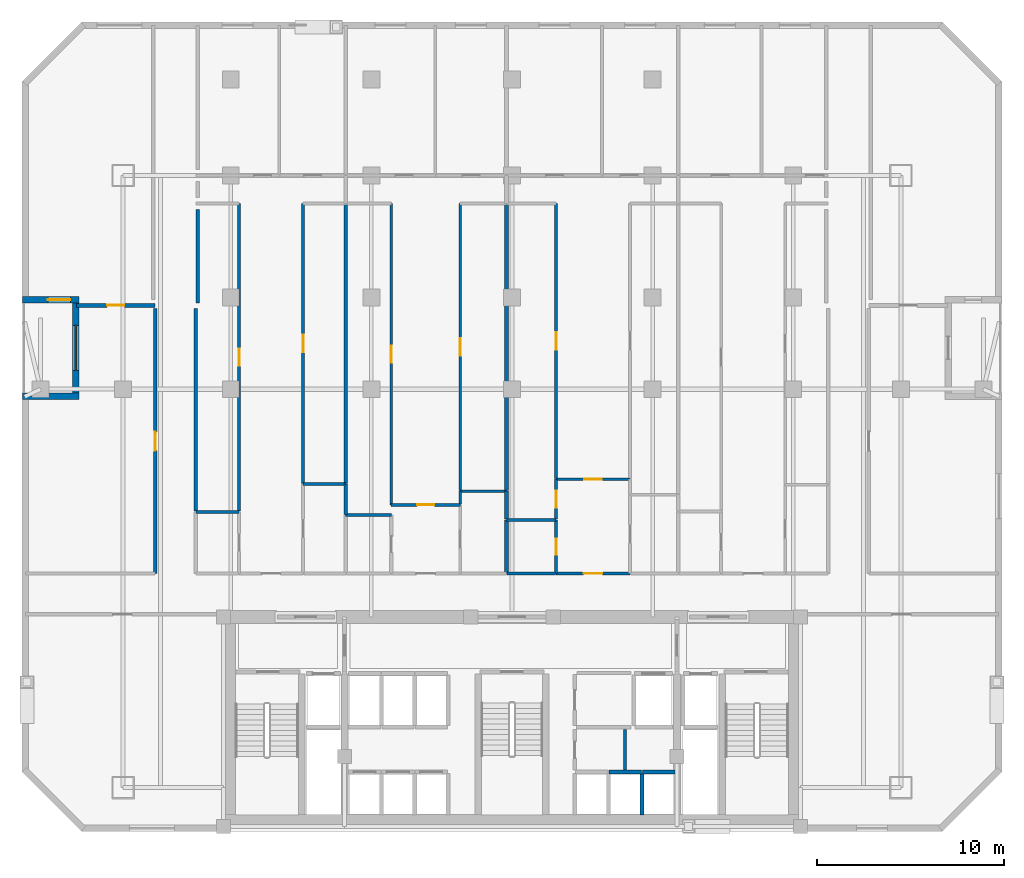
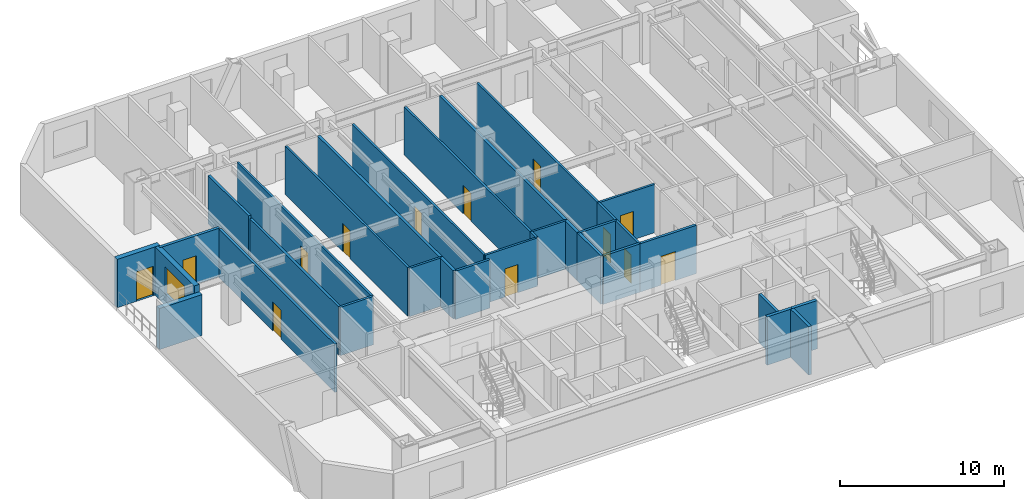
# One storey, part 4 of 9: 33 walls, 13 doors, 1 window, 14 openings.
"""IFC4 building model written with IfcOpenShell, lengths in metres."""

from ifc_helpers import new_model, si_unit, direction, frame, frame_2d, origin, place, context, subcontext, project, spatial, rectangle, extrude, material, layer, layer_set, type_object, element, fill, save


model = new_model("IFC4")

# Units and contexts
model_context = context("Model", 3, precision=1e-05, world=origin(), true_north=direction((0.0, 1.0)))
body_context = subcontext(model_context, "Body", "Model", "MODEL_VIEW")
ifc_project = project(units=[si_unit("LENGTHUNIT", "METRE"), si_unit("AREAUNIT", "SQUARE_METRE"), si_unit("VOLUMEUNIT", "CUBIC_METRE"), si_unit("PLANEANGLEUNIT", "RADIAN"), si_unit("MASSUNIT", "GRAM", prefix="KILO")], contexts=[model_context])

# Site, building, storey
site_placement = place(None, origin())
site = spatial("IfcSite", under=ifc_project, at=site_placement, CompositionType="ELEMENT")
building_placement = place(site_placement, origin())
building = spatial("IfcBuilding", under=site, at=building_placement, Name="Ventersveld Concourse Tower", CompositionType="ELEMENT")
storey_placement = place(building_placement, frame((0.0, 0.0, 100.300048828125)))
storey = spatial("IfcBuildingStorey", under=building, at=storey_placement, Name="L24", CompositionType="ELEMENT", Elevation=100.300048828125)

# Wall
ifc_material_1 = material(Name="Fire-rated autoclaved aerated masonry blockwork", Category="masonry")
ifc_layer_1 = layer(ifc_material_1, 0.179931640625)
ifc_layer_set_1 = layer_set([ifc_layer_1], Name="Fire-rated autoclaved aerated masonry blockwork")
wall_type_1 = type_object("IfcWallType", Name="WL-CORR-180", PredefinedType="PARTITIONING", material=ifc_layer_set_1)
wall_1_placement = place(storey_placement, frame((34.780029296875, 3.280029296875, 0.0), z_axis=(0.0, 0.0, 1.0), x_axis=(0.0, 1.0, 0.0)))
element("IfcWall", 1, at=wall_1_placement, inside=storey, type_object=wall_type_1, Name="L24 Core East Wall SP-L24-CBAY2", PredefinedType="PARTITIONING", context=body_context, shape_type="SweptSolid", body=[
    extrude(rectangle(XDim=2.169921875, YDim=0.179931640625, at=frame_2d((1.0849609375, 0.0))), origin(), (0.0, 0.0, 1.0), 3.599853515625),
])

# Wall, opening, door
wall_2_placement = place(storey_placement, frame((9.7099609375, 13.764892578125, 0.0), z_axis=(0.0, 0.0, 1.0), x_axis=(0.0, 1.0, 0.0)))
wall_2 = element("IfcWall", 2, at=wall_2_placement, inside=storey, type_object=wall_type_1, Name="L24 Interior Partition SP-L24-COR-SP-L24-NWLNG1", PredefinedType="PARTITIONING", context=body_context, shape_type="SweptSolid", body=[
    extrude(rectangle(XDim=14.130126953125, YDim=0.179931640625, at=frame_2d((7.06494140625, 0.0))), origin(), (0.0, 0.0, 1.0), 3.599853515625),
])
opening_1_placement = place(wall_2_placement, frame((6.56494140625, 0.0, 0.0)))
opening_1 = element("IfcOpeningElement", 3, at=opening_1_placement, cuts=wall_2, Name="Opening FD3", PredefinedType="OPENING", context=body_context, shape_type="SweptSolid", body=[
    extrude(rectangle(XDim=1.0, YDim=2.14990234375, at=frame_2d((0.5, 1.074951171875))), frame((0.0, 0.10009765625, 0.0), z_axis=(0.0, -1.0, 0.0), x_axis=(1.0, 0.0, 0.0)), (0.0, 0.0, 1.0), 0.199951171875),
])
ifc_material_2 = material(Name="Solid-core hardwood veneer timber", Category="wood")
door_type_1 = type_object("IfcDoorType", Name="DR-FLAT-100", OperationType="NOTDEFINED", PredefinedType="DOOR", material=ifc_material_2)
door_1_placement = place(opening_1_placement, origin())
door_1 = element("IfcDoor", 4, at=door_1_placement, inside=storey, type_object=door_type_1, Name="L24 Interior Door SP-L24-COR to SP-L24-NWLNG1 (D-L24-1174)", OperationType="SINGLE_SWING_RIGHT", OverallHeight=2.14990234375, OverallWidth=1.0, PredefinedType="DOOR", context=body_context, shape_type="SweptSolid", body=[
    extrude(rectangle(XDim=1.0, YDim=2.14990234375, at=frame_2d((0.5, 1.074951171875))), frame((0.0, 0.02490234375, 0.0), z_axis=(0.0, -1.0, 0.0), x_axis=(1.0, 0.0, 0.0)), (0.0, 0.0, 1.0), 0.050048828125),
])
fill(opening_1, door_1)

# Wall
wall_3_placement = place(storey_placement, frame((11.889892578125, 17.09130859375, 0.0), z_axis=(0.0, 0.0, 1.0), x_axis=(0.0, 1.0, 0.0)))
element("IfcWall", 5, at=wall_3_placement, inside=storey, type_object=wall_type_1, Name="L24 Interior Partition SP-L24-COR-SP-L24-24N1-OFFL0", PredefinedType="PARTITIONING", context=body_context, shape_type="SweptSolid", body=[
    extrude(rectangle(XDim=10.8037109375, YDim=0.179931640625, at=frame_2d((5.40185546875, 0.0))), origin(), (0.0, 0.0, 1.0), 3.599853515625),
])

# Wall, opening, door
wall_4_placement = place(storey_placement, frame((31.09423828125, 13.77001953125, 0.0), z_axis=(0.0, 0.0, 1.0), x_axis=(1.0, 0.0, 0.0)))
wall_4 = element("IfcWall", 6, at=wall_4_placement, inside=storey, type_object=wall_type_1, Name="L24 Interior Partition SP-L24-COR-SP-L24-24N3-FOY", PredefinedType="PARTITIONING", context=body_context, shape_type="SweptSolid", body=[
    extrude(rectangle(XDim=3.963134765625, YDim=0.179931640625, at=frame_2d((1.9814453125, 0.0))), origin(), (0.0, 0.0, 1.0), 3.599853515625),
])
opening_2_placement = place(wall_4_placement, frame((1.4814453125, 0.0, 0.0)))
opening_2 = element("IfcOpeningElement", 7, at=opening_2_placement, cuts=wall_4, Name="Opening FD3", PredefinedType="OPENING", context=body_context, shape_type="SweptSolid", body=[
    extrude(rectangle(XDim=1.0, YDim=2.14990234375, at=frame_2d((0.5, 1.074951171875))), frame((0.0, 0.10009765625, 0.0), z_axis=(0.0, -1.0, 0.0), x_axis=(1.0, 0.0, 0.0)), (0.0, 0.0, 1.0), 0.199951171875),
])
door_2_placement = place(opening_2_placement, origin())
door_2 = element("IfcDoor", 8, at=door_2_placement, inside=storey, type_object=door_type_1, Name="L24 Interior Door SP-L24-COR to SP-L24-24N3-FOY (FD-L24-1178)", OperationType="SINGLE_SWING_RIGHT", OverallHeight=2.14990234375, OverallWidth=1.0, PredefinedType="DOOR", context=body_context, shape_type="SweptSolid", body=[
    extrude(rectangle(XDim=1.0, YDim=2.14990234375, at=frame_2d((0.5, 1.074951171875))), frame((0.0, 0.02490234375, 0.0), z_axis=(0.0, -1.0, 0.0), x_axis=(1.0, 0.0, 0.0)), (0.0, 0.0, 1.0), 0.050048828125),
])
fill(opening_2, door_2)

# Walls
wall_5_placement = place(storey_placement, frame((28.4912109375, 13.77001953125, 0.0), z_axis=(0.0, 0.0, 1.0), x_axis=(1.0, 0.0, 0.0)))
element("IfcWall", 9, at=wall_5_placement, inside=storey, type_object=wall_type_1, Name="L24 Interior Partition SP-L24-COR-SP-L24-24N3-BATH", PredefinedType="PARTITIONING", context=body_context, shape_type="SweptSolid", body=[
    extrude(rectangle(XDim=2.572998046875, YDim=0.179931640625, at=frame_2d((1.28662109375, 0.0))), origin(), (0.0, 0.0, 1.0), 3.599853515625),
])
wall_6_placement = place(storey_placement, frame((11.97998046875, 28.2099609375, 0.0), z_axis=(0.0, 0.0, 1.0), x_axis=(0.0, 1.0, 0.0)))
element("IfcWall", 10, at=wall_6_placement, inside=storey, type_object=wall_type_1, Name="L24 Room Enclosure Wall SP-L24-24N1-OFFL0", PredefinedType="PARTITIONING", context=body_context, shape_type="SweptSolid", body=[
    extrude(rectangle(XDim=4.965087890625, YDim=0.179931640625, at=frame_2d((2.482421875, 0.0))), origin(), (0.0, 0.0, 1.0), 3.599853515625),
])

# Wall, opening, door
ifc_layer_2 = layer(ifc_material_1, 0.199951171875)
ifc_layer_set_2 = layer_set([ifc_layer_2], Name="Fire-rated autoclaved aerated masonry blockwork")
wall_type_2 = type_object("IfcWallType", Name="WL-DEMISE-200", PredefinedType="PARTITIONING", material=ifc_layer_set_2)
wall_7_placement = place(storey_placement, frame((5.510009765625, 28.070068359375, 0.0), z_axis=(0.0, 0.0, 1.0), x_axis=(1.0, 0.0, 0.0)))
wall_7 = element("IfcWall", 11, at=wall_7_placement, inside=storey, type_object=wall_type_2, Name="L24 Interior Partition SP-L24-NWLNG1-SP-L24-NWLNG2", PredefinedType="PARTITIONING", context=body_context, shape_type="SweptSolid", body=[
    extrude(rectangle(XDim=4.205078125, YDim=0.199951171875, at=frame_2d((2.1025390625, 0.0))), origin(), (0.0, 0.0, 1.0), 3.599853515625),
])
opening_3_placement = place(wall_7_placement, frame((1.642578125, 0.0, 0.0)))
opening_3 = element("IfcOpeningElement", 12, at=opening_3_placement, cuts=wall_7, Name="Opening ID1", PredefinedType="OPENING", context=body_context, shape_type="SweptSolid", body=[
    extrude(rectangle(XDim=0.919921875, YDim=2.10009765625, at=frame_2d((0.4599609375, 1.050048828125))), frame((0.0, 0.10986328125, 0.0), z_axis=(0.0, -1.0, 0.0), x_axis=(1.0, 0.0, 0.0)), (0.0, 0.0, 1.0), 0.219970703125),
])
door_type_2 = type_object("IfcDoorType", Name="DR-ROOM-092", OperationType="NOTDEFINED", PredefinedType="DOOR", material=ifc_material_2)
door_3_placement = place(opening_3_placement, origin())
door_3 = element("IfcDoor", 13, at=door_3_placement, inside=storey, type_object=door_type_2, Name="L24 Interior Door SP-L24-NWLNG1 to SP-L24-NWLNG2 (D-L24-1180)", OperationType="SINGLE_SWING_RIGHT", OverallHeight=2.10009765625, OverallWidth=0.919921875, PredefinedType="DOOR", context=body_context, shape_type="SweptSolid", body=[
    extrude(rectangle(XDim=0.919921875, YDim=2.10009765625, at=frame_2d((0.4599609375, 1.050048828125))), frame((0.0, 0.02490234375, 0.0), z_axis=(0.0, -1.0, 0.0), x_axis=(1.0, 0.0, 0.0)), (0.0, 0.0, 1.0), 0.050048828125),
])
fill(opening_3, door_3)

# Walls
wall_8_placement = place(storey_placement, frame((19.879150390625, 16.918701171875, 0.0), z_axis=(0.0, 0.0, 1.0), x_axis=(0.0, 1.0, 0.0)))
element("IfcWall", 14, at=wall_8_placement, inside=storey, type_object=wall_type_2, Name="L24 Interior Partition SP-L24-24N1-KIT-SP-L24-24N2-MEDL0", PredefinedType="PARTITIONING", context=body_context, shape_type="SweptSolid", body=[
    extrude(rectangle(XDim=1.62451171875, YDim=0.199951171875, at=frame_2d((0.812255859375, 0.0))), origin(), (0.0, 0.0, 1.0), 3.599853515625),
])
wall_9_placement = place(storey_placement, frame((19.879150390625, 18.5732421875, 0.0), z_axis=(0.0, 0.0, 1.0), x_axis=(0.0, 1.0, 0.0)))
element("IfcWall", 15, at=wall_9_placement, inside=storey, type_object=wall_type_2, Name="L24 Interior Partition SP-L24-24N1-DENR-SP-L24-24N2-MEDL0", PredefinedType="PARTITIONING", context=body_context, shape_type="SweptSolid", body=[
    extrude(rectangle(XDim=14.891845703125, YDim=0.199951171875, at=frame_2d((7.44580078125, 0.0))), origin(), (0.0, 0.0, 1.0), 3.599853515625),
])
wall_10_placement = place(storey_placement, frame((28.4560546875, 13.764892578125, 0.0), z_axis=(0.0, 0.0, 1.0), x_axis=(0.0, 1.0, 0.0)))
element("IfcWall", 16, at=wall_10_placement, inside=storey, type_object=wall_type_2, Name="L24 Interior Partition SP-L24-24N2-KIT-SP-L24-24N3-BATH", PredefinedType="PARTITIONING", context=body_context, shape_type="SweptSolid", body=[
    extrude(rectangle(XDim=2.86962890625, YDim=0.199951171875, at=frame_2d((1.434814453125, 0.0))), origin(), (0.0, 0.0, 1.0), 3.599853515625),
])
wall_11_placement = place(storey_placement, frame((28.4560546875, 16.664306640625, 0.0), z_axis=(0.0, 0.0, 1.0), x_axis=(0.0, 1.0, 0.0)))
element("IfcWall", 17, at=wall_11_placement, inside=storey, type_object=wall_type_2, Name="L24 Interior Partition SP-L24-24N2-KIT-SP-L24-24N3-DENL", PredefinedType="PARTITIONING", context=body_context, shape_type="SweptSolid", body=[
    extrude(rectangle(XDim=1.49267578125, YDim=0.199951171875, at=frame_2d((0.746337890625, 0.0))), origin(), (0.0, 0.0, 1.0), 3.599853515625),
])
wall_12_placement = place(storey_placement, frame((28.4560546875, 18.18701171875, 0.0), z_axis=(0.0, 0.0, 1.0), x_axis=(0.0, 1.0, 0.0)))
element("IfcWall", 18, at=wall_12_placement, inside=storey, type_object=wall_type_2, Name="L24 Interior Partition SP-L24-24N2-DENR-SP-L24-24N3-DENL", PredefinedType="PARTITIONING", context=body_context, shape_type="SweptSolid", body=[
    extrude(rectangle(XDim=15.278076171875, YDim=0.199951171875, at=frame_2d((7.63916015625, 0.0))), origin(), (0.0, 0.0, 1.0), 3.599853515625),
])
ifc_layer_3 = layer(ifc_material_1, 0.219970703125)
ifc_layer_set_3 = layer_set([ifc_layer_3], Name="Fire-rated autoclaved aerated masonry blockwork")
wall_type_3 = type_object("IfcWallType", Name="WL-HOIST-220", PredefinedType="SOLIDWALL", material=ifc_layer_set_3)
wall_13_placement = place(storey_placement, frame((35.679931640625, 0.89990234375, 0.0), z_axis=(0.0, 0.0, 1.0), x_axis=(0.0, 1.0, 0.0)))
element("IfcWall", 19, at=wall_13_placement, inside=storey, type_object=wall_type_3, Name="L24 Lift Hoistway Side Wall PM-02E", PredefinedType="SOLIDWALL", context=body_context, shape_type="SweptSolid", body=[
    extrude(rectangle(XDim=2.2001953125, YDim=0.219970703125, at=frame_2d((1.10009765625, 0.0))), origin(), (0.0, 0.0, 1.0), 3.599853515625),
])
for number, where, z_axis, x_axis, name in (
    (20, (33.919921875, 3.179931640625, 0.0), (0.0, 0.0, 1.0), (1.0, 0.0, 0.0), "L24 Lift Hoistway Front Wall PM-02"),
    (21, (35.699951171875, 3.179931640625, 0.0), (0.0, 0.0, 1.0), (1.0, 0.0, 0.0), "L24 Lift Hoistway Front Wall PM-03"),
):
    element("IfcWall", number, at=place(storey_placement, frame(where, z_axis=z_axis, x_axis=x_axis)), inside=storey, type_object=wall_type_3, Name=name, PredefinedType="SOLIDWALL", context=body_context, shape_type="SweptSolid", body=[
        extrude(rectangle(XDim=1.739990234375, YDim=0.219970703125, at=frame_2d((0.8701171875, 0.0))), origin(), (0.0, 0.0, 1.0), 3.599853515625),
    ])

# Wall, opening, door
ifc_material_3 = material(Name="Autoclaved aerated masonry blockwork", Category="masonry")
ifc_layer_4 = layer(ifc_material_3, 0.14990234375)
ifc_layer_set_4 = layer_set([ifc_layer_4], Name="Autoclaved aerated masonry blockwork")
wall_type_4 = type_object("IfcWallType", Name="WL-INT-150", PredefinedType="PARTITIONING", material=ifc_layer_set_4)
wall_14_placement = place(storey_placement, frame((14.194580078125, 17.09130859375, 0.0), z_axis=(0.0, 0.0, 1.0), x_axis=(0.0, 1.0, 0.0)))
wall_14 = element("IfcWall", 22, at=wall_14_placement, inside=storey, type_object=wall_type_4, Name="L24 Interior Partition SP-L24-24N1-LIV-SP-L24-24N1-OFFL0", PredefinedType="PARTITIONING", context=body_context, shape_type="SweptSolid", body=[
    extrude(rectangle(XDim=16.41357421875, YDim=0.14990234375, at=frame_2d((8.206787109375, 0.0))), origin(), (0.0, 0.0, 1.0), 3.599853515625),
])
opening_4_placement = place(wall_14_placement, frame((7.746826171875, 0.0, 0.0)))
opening_4 = element("IfcOpeningElement", 23, at=opening_4_placement, cuts=wall_14, Name="Opening ID1", PredefinedType="OPENING", context=body_context, shape_type="SweptSolid", body=[
    extrude(rectangle(XDim=0.919921875, YDim=2.10009765625, at=frame_2d((0.4599609375, 1.050048828125))), frame((0.0, 0.0849609375, 0.0), z_axis=(0.0, -1.0, 0.0), x_axis=(1.0, 0.0, 0.0)), (0.0, 0.0, 1.0), 0.169921875),
])
door_4_placement = place(opening_4_placement, origin())
door_4 = element("IfcDoor", 24, at=door_4_placement, inside=storey, type_object=door_type_2, Name="L24 Interior Door SP-L24-24N1-LIV to SP-L24-24N1-OFFL0 (D-L24-1183)", OperationType="SINGLE_SWING_LEFT", OverallHeight=2.10009765625, OverallWidth=0.919921875, PredefinedType="DOOR", context=body_context, shape_type="SweptSolid", body=[
    extrude(rectangle(XDim=0.919921875, YDim=2.10009765625, at=frame_2d((0.4599609375, 1.050048828125))), frame((0.0, 0.02490234375, 0.0), z_axis=(0.0, -1.0, 0.0), x_axis=(1.0, 0.0, 0.0)), (0.0, 0.0, 1.0), 0.050048828125),
])
fill(opening_4, door_4)

wall_15_placement = place(storey_placement, frame((17.60693359375, 18.5732421875, 0.0), z_axis=(0.0, 0.0, 1.0), x_axis=(0.0, 1.0, 0.0)))
wall_15 = element("IfcWall", 25, at=wall_15_placement, inside=storey, type_object=wall_type_4, Name="L24 Interior Partition SP-L24-24N1-LIV-SP-L24-24N1-DENR", PredefinedType="PARTITIONING", context=body_context, shape_type="SweptSolid", body=[
    extrude(rectangle(XDim=14.931640625, YDim=0.14990234375, at=frame_2d((7.4658203125, 0.0))), origin(), (0.0, 0.0, 1.0), 3.599853515625),
])
opening_5_placement = place(wall_15_placement, frame((7.005859375, 0.0, 0.0)))
opening_5 = element("IfcOpeningElement", 26, at=opening_5_placement, cuts=wall_15, Name="Opening ID1", PredefinedType="OPENING", context=body_context, shape_type="SweptSolid", body=[
    extrude(rectangle(XDim=0.919921875, YDim=2.10009765625, at=frame_2d((0.4599609375, 1.050048828125))), frame((0.0, 0.0849609375, 0.0), z_axis=(0.0, -1.0, 0.0), x_axis=(1.0, 0.0, 0.0)), (0.0, 0.0, 1.0), 0.169921875),
])
door_5_placement = place(opening_5_placement, origin())
door_5 = element("IfcDoor", 27, at=door_5_placement, inside=storey, type_object=door_type_2, Name="L24 Interior Door SP-L24-24N1-LIV to SP-L24-24N1-DENR (D-L24-1185)", OperationType="SINGLE_SWING_LEFT", OverallHeight=2.10009765625, OverallWidth=0.919921875, PredefinedType="DOOR", context=body_context, shape_type="SweptSolid", body=[
    extrude(rectangle(XDim=0.919921875, YDim=2.10009765625, at=frame_2d((0.4599609375, 1.050048828125))), frame((0.0, 0.02490234375, 0.0), z_axis=(0.0, -1.0, 0.0), x_axis=(1.0, 0.0, 0.0)), (0.0, 0.0, 1.0), 0.050048828125),
])
fill(opening_5, door_5)

# Wall
wall_16_placement = place(storey_placement, frame((17.601806640625, 18.538330078125, 0.0), z_axis=(0.0, 0.0, 1.0), x_axis=(1.0, 0.0, 0.0)))
element("IfcWall", 28, at=wall_16_placement, inside=storey, type_object=wall_type_4, Name="L24 Interior Partition SP-L24-24N1-KIT-SP-L24-24N1-DENR", PredefinedType="PARTITIONING", context=body_context, shape_type="SweptSolid", body=[
    extrude(rectangle(XDim=2.282470703125, YDim=0.14990234375, at=frame_2d((1.14111328125, 0.0))), origin(), (0.0, 0.0, 1.0), 3.599853515625),
])

# Wall, opening, door
wall_17_placement = place(storey_placement, frame((22.303955078125, 17.430419921875, 0.0), z_axis=(0.0, 0.0, 1.0), x_axis=(1.0, 0.0, 0.0)))
wall_17 = element("IfcWall", 29, at=wall_17_placement, inside=storey, type_object=wall_type_4, Name="L24 Interior Partition SP-L24-24N2-FOY-SP-L24-24N2-LIV", PredefinedType="PARTITIONING", context=body_context, shape_type="SweptSolid", body=[
    extrude(rectangle(XDim=3.692626953125, YDim=0.14990234375, at=frame_2d((1.84619140625, 0.0))), origin(), (0.0, 0.0, 1.0), 3.599853515625),
])
opening_6_placement = place(wall_17_placement, frame((1.38623046875, 0.0, 0.0)))
opening_6 = element("IfcOpeningElement", 30, at=opening_6_placement, cuts=wall_17, Name="Opening ID1", PredefinedType="OPENING", context=body_context, shape_type="SweptSolid", body=[
    extrude(rectangle(XDim=0.919921875, YDim=2.10009765625, at=frame_2d((0.4599609375, 1.050048828125))), frame((0.0, 0.0849609375, 0.0), z_axis=(0.0, -1.0, 0.0), x_axis=(1.0, 0.0, 0.0)), (0.0, 0.0, 1.0), 0.169921875),
])
door_6_placement = place(opening_6_placement, origin())
door_6 = element("IfcDoor", 31, at=door_6_placement, inside=storey, type_object=door_type_2, Name="L24 Interior Door SP-L24-24N2-FOY to SP-L24-24N2-LIV (D-L24-1188)", OperationType="SINGLE_SWING_RIGHT", OverallHeight=2.10009765625, OverallWidth=0.919921875, PredefinedType="DOOR", context=body_context, shape_type="SweptSolid", body=[
    extrude(rectangle(XDim=0.919921875, YDim=2.10009765625, at=frame_2d((0.4599609375, 1.050048828125))), frame((0.0, 0.02490234375, 0.0), z_axis=(0.0, -1.0, 0.0), x_axis=(1.0, 0.0, 0.0)), (0.0, 0.0, 1.0), 0.050048828125),
])
fill(opening_6, door_6)

wall_18_placement = place(storey_placement, frame((22.308837890625, 17.42529296875, 0.0), z_axis=(0.0, 0.0, 1.0), x_axis=(0.0, 1.0, 0.0)))
wall_18 = element("IfcWall", 32, at=wall_18_placement, inside=storey, type_object=wall_type_4, Name="L24 Interior Partition SP-L24-24N2-LIV-SP-L24-24N2-MEDL0", PredefinedType="PARTITIONING", context=body_context, shape_type="SweptSolid", body=[
    extrude(rectangle(XDim=16.07958984375, YDim=0.14990234375, at=frame_2d((8.039794921875, 0.0))), origin(), (0.0, 0.0, 1.0), 3.599853515625),
])
opening_7_placement = place(wall_18_placement, frame((7.579833984375, 0.0, 0.0)))
opening_7 = element("IfcOpeningElement", 33, at=opening_7_placement, cuts=wall_18, Name="Opening ID1", PredefinedType="OPENING", context=body_context, shape_type="SweptSolid", body=[
    extrude(rectangle(XDim=0.919921875, YDim=2.10009765625, at=frame_2d((0.4599609375, 1.050048828125))), frame((0.0, 0.0849609375, 0.0), z_axis=(0.0, -1.0, 0.0), x_axis=(1.0, 0.0, 0.0)), (0.0, 0.0, 1.0), 0.169921875),
])
door_7_placement = place(opening_7_placement, origin())
door_7 = element("IfcDoor", 34, at=door_7_placement, inside=storey, type_object=door_type_2, Name="L24 Interior Door SP-L24-24N2-LIV to SP-L24-24N2-MEDL0 (D-L24-1191)", OperationType="SINGLE_SWING_LEFT", OverallHeight=2.10009765625, OverallWidth=0.919921875, PredefinedType="DOOR", context=body_context, shape_type="SweptSolid", body=[
    extrude(rectangle(XDim=0.919921875, YDim=2.10009765625, at=frame_2d((0.4599609375, 1.050048828125))), frame((0.0, 0.02490234375, 0.0), z_axis=(0.0, -1.0, 0.0), x_axis=(1.0, 0.0, 0.0)), (0.0, 0.0, 1.0), 0.050048828125),
])
fill(opening_7, door_7)

# Wall
wall_19_placement = place(storey_placement, frame((25.991455078125, 17.46533203125, 0.0), z_axis=(0.0, 0.0, 1.0), x_axis=(0.0, 1.0, 0.0)))
element("IfcWall", 35, at=wall_19_placement, inside=storey, type_object=wall_type_4, Name="L24 Interior Partition SP-L24-24N2-LIV-SP-L24-24N2-KIT", PredefinedType="PARTITIONING", context=body_context, shape_type="SweptSolid", body=[
    extrude(rectangle(XDim=0.691650390625, YDim=0.14990234375, at=frame_2d((0.345703125, 0.0))), origin(), (0.0, 0.0, 1.0), 3.599853515625),
])

# Wall, opening, door
wall_20_placement = place(storey_placement, frame((25.991455078125, 18.18701171875, 0.0), z_axis=(0.0, 0.0, 1.0), x_axis=(0.0, 1.0, 0.0)))
wall_20 = element("IfcWall", 36, at=wall_20_placement, inside=storey, type_object=wall_type_4, Name="L24 Interior Partition SP-L24-24N2-LIV-SP-L24-24N2-DENR", PredefinedType="PARTITIONING", context=body_context, shape_type="SweptSolid", body=[
    extrude(rectangle(XDim=15.31787109375, YDim=0.14990234375, at=frame_2d((7.658935546875, 0.0))), origin(), (0.0, 0.0, 1.0), 3.599853515625),
])
opening_8_placement = place(wall_20_placement, frame((7.198974609375, 0.0, 0.0)))
opening_8 = element("IfcOpeningElement", 37, at=opening_8_placement, cuts=wall_20, Name="Opening ID1", PredefinedType="OPENING", context=body_context, shape_type="SweptSolid", body=[
    extrude(rectangle(XDim=0.919921875, YDim=2.10009765625, at=frame_2d((0.4599609375, 1.050048828125))), frame((0.0, 0.0849609375, 0.0), z_axis=(0.0, -1.0, 0.0), x_axis=(1.0, 0.0, 0.0)), (0.0, 0.0, 1.0), 0.169921875),
])
door_8_placement = place(opening_8_placement, origin())
door_8 = element("IfcDoor", 38, at=door_8_placement, inside=storey, type_object=door_type_2, Name="L24 Interior Door SP-L24-24N2-LIV to SP-L24-24N2-DENR (D-L24-1192)", OperationType="SINGLE_SWING_RIGHT", OverallHeight=2.10009765625, OverallWidth=0.919921875, PredefinedType="DOOR", context=body_context, shape_type="SweptSolid", body=[
    extrude(rectangle(XDim=0.919921875, YDim=2.10009765625, at=frame_2d((0.4599609375, 1.050048828125))), frame((0.0, 0.02490234375, 0.0), z_axis=(0.0, -1.0, 0.0), x_axis=(1.0, 0.0, 0.0)), (0.0, 0.0, 1.0), 0.050048828125),
])
fill(opening_8, door_8)

# Wall
wall_21_placement = place(storey_placement, frame((25.986572265625, 18.152099609375, 0.0), z_axis=(0.0, 0.0, 1.0), x_axis=(1.0, 0.0, 0.0)))
element("IfcWall", 39, at=wall_21_placement, inside=storey, type_object=wall_type_4, Name="L24 Interior Partition SP-L24-24N2-KIT-SP-L24-24N2-DENR", PredefinedType="PARTITIONING", context=body_context, shape_type="SweptSolid", body=[
    extrude(rectangle(XDim=2.474609375, YDim=0.14990234375, at=frame_2d((1.2373046875, 0.0))), origin(), (0.0, 0.0, 1.0), 3.599853515625),
])

# Wall, opening, door
wall_22_placement = place(storey_placement, frame((31.09423828125, 18.800537109375, 0.0), z_axis=(0.0, 0.0, 1.0), x_axis=(1.0, 0.0, 0.0)))
wall_22 = element("IfcWall", 40, at=wall_22_placement, inside=storey, type_object=wall_type_4, Name="L24 Interior Partition SP-L24-24N3-FOY-SP-L24-24N3-LIV", PredefinedType="PARTITIONING", context=body_context, shape_type="SweptSolid", body=[
    extrude(rectangle(XDim=3.963134765625, YDim=0.14990234375, at=frame_2d((1.9814453125, 0.0))), origin(), (0.0, 0.0, 1.0), 3.599853515625),
])
opening_9_placement = place(wall_22_placement, frame((1.521484375, 0.0, 0.0)))
opening_9 = element("IfcOpeningElement", 41, at=opening_9_placement, cuts=wall_22, Name="Opening ID1", PredefinedType="OPENING", context=body_context, shape_type="SweptSolid", body=[
    extrude(rectangle(XDim=0.919921875, YDim=2.10009765625, at=frame_2d((0.4599609375, 1.050048828125))), frame((0.0, 0.0849609375, 0.0), z_axis=(0.0, -1.0, 0.0), x_axis=(1.0, 0.0, 0.0)), (0.0, 0.0, 1.0), 0.169921875),
])
door_9_placement = place(opening_9_placement, origin())
door_9 = element("IfcDoor", 42, at=door_9_placement, inside=storey, type_object=door_type_2, Name="L24 Interior Door SP-L24-24N3-FOY to SP-L24-24N3-LIV (D-L24-1195)", OperationType="SINGLE_SWING_LEFT", OverallHeight=2.10009765625, OverallWidth=0.919921875, PredefinedType="DOOR", context=body_context, shape_type="SweptSolid", body=[
    extrude(rectangle(XDim=0.919921875, YDim=2.10009765625, at=frame_2d((0.4599609375, 1.050048828125))), frame((0.0, 0.02490234375, 0.0), z_axis=(0.0, -1.0, 0.0), x_axis=(1.0, 0.0, 0.0)), (0.0, 0.0, 1.0), 0.050048828125),
])
fill(opening_9, door_9)

wall_23_placement = place(storey_placement, frame((31.099365234375, 16.664306640625, 0.0), z_axis=(0.0, 0.0, 1.0), x_axis=(0.0, 1.0, 0.0)))
wall_23 = element("IfcWall", 43, at=wall_23_placement, inside=storey, type_object=wall_type_4, Name="L24 Interior Partition SP-L24-24N3-FOY-SP-L24-24N3-DENL", PredefinedType="PARTITIONING", context=body_context, shape_type="SweptSolid", body=[
    extrude(rectangle(XDim=2.14111328125, YDim=0.14990234375, at=frame_2d((1.070556640625, 0.0))), origin(), (0.0, 0.0, 1.0), 3.599853515625),
])
opening_10_placement = place(wall_23_placement, frame((0.610595703125, 0.0, 0.0)))
opening_10 = element("IfcOpeningElement", 44, at=opening_10_placement, cuts=wall_23, Name="Opening ID1", PredefinedType="OPENING", context=body_context, shape_type="SweptSolid", body=[
    extrude(rectangle(XDim=0.919921875, YDim=2.10009765625, at=frame_2d((0.4599609375, 1.050048828125))), frame((0.0, 0.0849609375, 0.0), z_axis=(0.0, -1.0, 0.0), x_axis=(1.0, 0.0, 0.0)), (0.0, 0.0, 1.0), 0.169921875),
])
door_10_placement = place(opening_10_placement, origin())
door_10 = element("IfcDoor", 45, at=door_10_placement, inside=storey, type_object=door_type_2, Name="L24 Interior Door SP-L24-24N3-FOY to SP-L24-24N3-DENL (D-L24-1197)", OperationType="SINGLE_SWING_LEFT", OverallHeight=2.10009765625, OverallWidth=0.919921875, PredefinedType="DOOR", context=body_context, shape_type="SweptSolid", body=[
    extrude(rectangle(XDim=0.919921875, YDim=2.10009765625, at=frame_2d((0.4599609375, 1.050048828125))), frame((0.0, 0.02490234375, 0.0), z_axis=(0.0, -1.0, 0.0), x_axis=(1.0, 0.0, 0.0)), (0.0, 0.0, 1.0), 0.050048828125),
])
fill(opening_10, door_10)

wall_24_placement = place(storey_placement, frame((31.099365234375, 18.83544921875, 0.0), z_axis=(0.0, 0.0, 1.0), x_axis=(0.0, 1.0, 0.0)))
wall_24 = element("IfcWall", 46, at=wall_24_placement, inside=storey, type_object=wall_type_4, Name="L24 Interior Partition SP-L24-24N3-LIV-SP-L24-24N3-DENL", PredefinedType="PARTITIONING", context=body_context, shape_type="SweptSolid", body=[
    extrude(rectangle(XDim=14.66943359375, YDim=0.14990234375, at=frame_2d((7.334716796875, 0.0))), origin(), (0.0, 0.0, 1.0), 3.599853515625),
])
opening_11_placement = place(wall_24_placement, frame((6.874755859375, 0.0, 0.0)))
opening_11 = element("IfcOpeningElement", 47, at=opening_11_placement, cuts=wall_24, Name="Opening ID1", PredefinedType="OPENING", context=body_context, shape_type="SweptSolid", body=[
    extrude(rectangle(XDim=0.919921875, YDim=2.10009765625, at=frame_2d((0.4599609375, 1.050048828125))), frame((0.0, 0.0849609375, 0.0), z_axis=(0.0, -1.0, 0.0), x_axis=(1.0, 0.0, 0.0)), (0.0, 0.0, 1.0), 0.169921875),
])
door_11_placement = place(opening_11_placement, origin())
door_11 = element("IfcDoor", 48, at=door_11_placement, inside=storey, type_object=door_type_2, Name="L24 Interior Door SP-L24-24N3-LIV to SP-L24-24N3-DENL (D-L24-1199)", OperationType="SINGLE_SWING_LEFT", OverallHeight=2.10009765625, OverallWidth=0.919921875, PredefinedType="DOOR", context=body_context, shape_type="SweptSolid", body=[
    extrude(rectangle(XDim=0.919921875, YDim=2.10009765625, at=frame_2d((0.4599609375, 1.050048828125))), frame((0.0, 0.02490234375, 0.0), z_axis=(0.0, -1.0, 0.0), x_axis=(1.0, 0.0, 0.0)), (0.0, 0.0, 1.0), 0.050048828125),
])
fill(opening_11, door_11)

ifc_material_4 = material(Name="Precast concrete C45/55", Category="concrete")
ifc_layer_5 = layer(ifc_material_4, 0.35009765625)
ifc_layer_set_5 = layer_set([ifc_layer_5], Name="Precast concrete C45/55")
wall_type_5 = type_object("IfcWallType", Name="WL-PREC-350", PredefinedType="SOLIDWALL", material=ifc_layer_set_5)
wall_25_placement = place(storey_placement, frame((2.639892578125, 28.375, 0.0), z_axis=(0.0, 0.0, 1.0), x_axis=(1.0, 0.0, 0.0)))
wall_25 = element("IfcWall", 49, at=wall_25_placement, inside=storey, type_object=wall_type_5, Name="L24 Highveld Precast Facade Wall E12", PredefinedType="SOLIDWALL", context=body_context, shape_type="SweptSolid", body=[
    extrude(rectangle(XDim=3.010009765625, YDim=0.35009765625, at=frame_2d((1.5048828125, 0.0))), origin(), (0.0, 0.0, 1.0), 3.599853515625),
])
opening_12_placement = place(wall_25_placement, frame((1.3564453125, 0.0, 0.0)))
opening_12 = element("IfcOpeningElement", 50, at=opening_12_placement, cuts=wall_25, Name="Opening TD1", PredefinedType="OPENING", context=body_context, shape_type="SweptSolid", body=[
    extrude(rectangle(XDim=1.199951171875, YDim=2.199951171875, at=frame_2d((0.60009765625, 1.10009765625))), frame((0.0, 0.18505859375, 0.0), z_axis=(0.0, -1.0, 0.0), x_axis=(1.0, 0.0, 0.0)), (0.0, 0.0, 1.0), 0.3701171875),
])
ifc_material_5 = material(Name="Anodised aluminium EN AW-6063-T6", Category="aluminium")
door_type_3 = type_object("IfcDoorType", Name="DR-TERR-120", OperationType="NOTDEFINED", PredefinedType="DOOR", material=ifc_material_5)
door_12_placement = place(opening_12_placement, frame((1.199951171875, 0.0, 0.0), z_axis=(0.0, 0.0, 1.0), x_axis=(-1.0, 0.0, 0.0)))
door_12 = element("IfcDoor", 51, at=door_12_placement, inside=storey, type_object=door_type_3, Name="L24 Stepped Valley Terrace Door TD-L24-01", OperationType="SINGLE_SWING_LEFT", OverallHeight=2.199951171875, OverallWidth=1.199951171875, PredefinedType="DOOR", context=body_context, shape_type="SweptSolid", body=[
    extrude(rectangle(XDim=1.199951171875, YDim=2.199951171875, at=frame_2d((0.60009765625, 1.10009765625))), frame((0.0, 0.02490234375, 0.0), z_axis=(0.0, -1.0, 0.0), x_axis=(1.0, 0.0, 0.0)), (0.0, 0.0, 1.0), 0.050048828125),
])
fill(opening_12, door_12)

# Wall, opening, window
wall_26_placement = place(storey_placement, frame((5.47509765625, 28.199951171875, 0.0), z_axis=(0.0, 0.0, 1.0), x_axis=(0.0, -1.0, 0.0)))
wall_26 = element("IfcWall", 52, at=wall_26_placement, inside=storey, type_object=wall_type_5, Name="L24 Highveld Precast Facade Wall E13", PredefinedType="SOLIDWALL", context=body_context, shape_type="SweptSolid", body=[
    extrude(rectangle(XDim=4.800048828125, YDim=0.35009765625, at=frame_2d((2.39990234375, 0.0))), origin(), (0.0, 0.0, 1.0), 3.599853515625),
])
opening_13_placement = place(wall_26_placement, frame((1.199951171875, 0.0, 0.85009765625)))
opening_13 = element("IfcOpeningElement", 53, at=opening_13_placement, cuts=wall_26, Name="Opening W5", PredefinedType="OPENING", context=body_context, shape_type="SweptSolid", body=[
    extrude(rectangle(XDim=2.39990234375, YDim=2.0, at=frame_2d((1.199951171875, 1.0))), frame((0.0, 0.18505859375, 0.0), z_axis=(0.0, -1.0, 0.0), x_axis=(1.0, 0.0, 0.0)), (0.0, 0.0, 1.0), 0.3701171875),
])
ifc_material_6 = material(Name="Tempered acoustic Low-E IGU", Category="glass")
window_type = type_object("IfcWindowType", Name="WIN-240x210", PartitioningType="SINGLE_PANEL", PredefinedType="WINDOW", material=ifc_material_6)
window_placement = place(opening_13_placement, origin())
window = element("IfcWindow", 54, at=window_placement, inside=storey, type_object=window_type, Name="L24 Punched Low-E Window W-0275", OverallHeight=2.0, OverallWidth=2.39990234375, PartitioningType="SINGLE_PANEL", PredefinedType="WINDOW", context=body_context, shape_type="SweptSolid", body=[
    extrude(rectangle(XDim=2.39990234375, YDim=2.0, at=frame_2d((1.199951171875, 1.0))), frame((0.0, 0.030029296875, 0.0), z_axis=(0.0, -1.0, 0.0), x_axis=(1.0, 0.0, 0.0)), (0.0, 0.0, 1.0), 0.06005859375),
])
fill(opening_13, window)

# Walls
wall_27_placement = place(storey_placement, frame((5.64990234375, 23.22509765625, 0.0), z_axis=(0.0, 0.0, 1.0), x_axis=(-1.0, 0.0, 0.0)))
element("IfcWall", 55, at=wall_27_placement, inside=storey, type_object=wall_type_5, Name="L24 Highveld Precast Facade Wall E14", PredefinedType="SOLIDWALL", context=body_context, shape_type="SweptSolid", body=[
    extrude(rectangle(XDim=3.010009765625, YDim=0.35009765625, at=frame_2d((1.5048828125, 0.0))), origin(), (0.0, 0.0, 1.0), 3.055419921875),
])
ifc_layer_6 = layer(ifc_material_3, 0.1650390625)
ifc_layer_set_6 = layer_set([ifc_layer_6], Name="Autoclaved aerated masonry blockwork")
wall_type_6 = type_object("IfcWallType", Name="WL-WET-165", PredefinedType="PLUMBINGWALL", material=ifc_layer_set_6)
wall_28_placement = place(storey_placement, frame((11.885009765625, 17.056396484375, 0.0), z_axis=(0.0, 0.0, 1.0), x_axis=(1.0, 0.0, 0.0)))
element("IfcWall", 56, at=wall_28_placement, inside=storey, type_object=wall_type_6, Name="L24 Interior Partition SP-L24-24N1-BATH-SP-L24-24N1-OFFL0", PredefinedType="PLUMBINGWALL", context=body_context, shape_type="SweptSolid", body=[
    extrude(rectangle(XDim=2.314697265625, YDim=0.1650390625, at=frame_2d((1.1572265625, 0.0))), origin(), (0.0, 0.0, 1.0), 3.599853515625),
])
wall_29_placement = place(storey_placement, frame((19.874267578125, 16.8837890625, 0.0), z_axis=(0.0, 0.0, 1.0), x_axis=(1.0, 0.0, 0.0)))
element("IfcWall", 57, at=wall_29_placement, inside=storey, type_object=wall_type_6, Name="L24 Interior Partition SP-L24-24N2-BATH-SP-L24-24N2-MEDL0", PredefinedType="PLUMBINGWALL", context=body_context, shape_type="SweptSolid", body=[
    extrude(rectangle(XDim=2.439697265625, YDim=0.1650390625, at=frame_2d((1.2197265625, 0.0))), origin(), (0.0, 0.0, 1.0), 3.599853515625),
])

# Wall, opening, door
wall_30_placement = place(storey_placement, frame((31.099365234375, 13.764892578125, 0.0), z_axis=(0.0, 0.0, 1.0), x_axis=(0.0, 1.0, 0.0)))
wall_30 = element("IfcWall", 58, at=wall_30_placement, inside=storey, type_object=wall_type_6, Name="L24 Interior Partition SP-L24-24N3-FOY-SP-L24-24N3-BATH", PredefinedType="PLUMBINGWALL", context=body_context, shape_type="SweptSolid", body=[
    extrude(rectangle(XDim=2.86962890625, YDim=0.1650390625, at=frame_2d((1.434814453125, 0.0))), origin(), (0.0, 0.0, 1.0), 3.599853515625),
])
opening_14_placement = place(wall_30_placement, frame((1.009765625, 0.0, 0.0)))
opening_14 = element("IfcOpeningElement", 59, at=opening_14_placement, cuts=wall_30, Name="Opening ID2", PredefinedType="OPENING", context=body_context, shape_type="SweptSolid", body=[
    extrude(rectangle(XDim=0.85009765625, YDim=2.10009765625, at=frame_2d((0.425048828125, 1.050048828125))), frame((0.0, 0.092529296875, 0.0), z_axis=(0.0, -1.0, 0.0), x_axis=(1.0, 0.0, 0.0)), (0.0, 0.0, 1.0), 0.18505859375),
])
door_type_4 = type_object("IfcDoorType", Name="DR-BATH-085", OperationType="NOTDEFINED", PredefinedType="DOOR", material=ifc_material_2)
door_13_placement = place(opening_14_placement, origin())
door_13 = element("IfcDoor", 60, at=door_13_placement, inside=storey, type_object=door_type_4, Name="L24 Interior Door SP-L24-24N3-FOY to SP-L24-24N3-BATH (D-L24-1196)", OperationType="SINGLE_SWING_RIGHT", OverallHeight=2.10009765625, OverallWidth=0.85009765625, PredefinedType="DOOR", context=body_context, shape_type="SweptSolid", body=[
    extrude(rectangle(XDim=0.85009765625, YDim=2.10009765625, at=frame_2d((0.425048828125, 1.050048828125))), frame((0.0, 0.02490234375, 0.0), z_axis=(0.0, -1.0, 0.0), x_axis=(1.0, 0.0, 0.0)), (0.0, 0.0, 1.0), 0.050048828125),
])
fill(opening_14, door_13)

# Wall
wall_31_placement = place(storey_placement, frame((28.451171875, 16.62939453125, 0.0), z_axis=(0.0, 0.0, 1.0), x_axis=(1.0, 0.0, 0.0)))
element("IfcWall", 61, at=wall_31_placement, inside=storey, type_object=wall_type_6, Name="L24 Interior Partition SP-L24-24N3-BATH-SP-L24-24N3-DENL", PredefinedType="PLUMBINGWALL", context=body_context, shape_type="SweptSolid", body=[
    extrude(rectangle(XDim=2.653076171875, YDim=0.1650390625, at=frame_2d((1.32666015625, 0.0))), origin(), (0.0, 0.0, 1.0), 3.599853515625),
])

save(model, "model.ifc")
